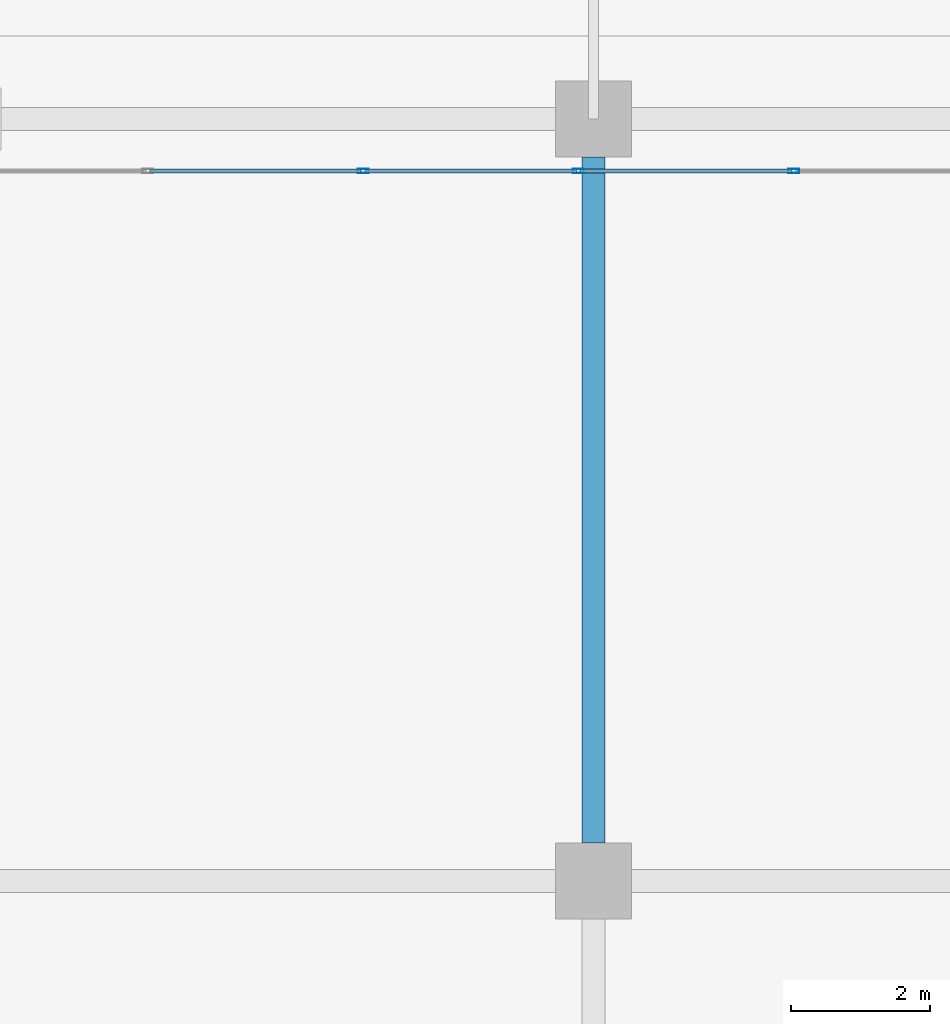
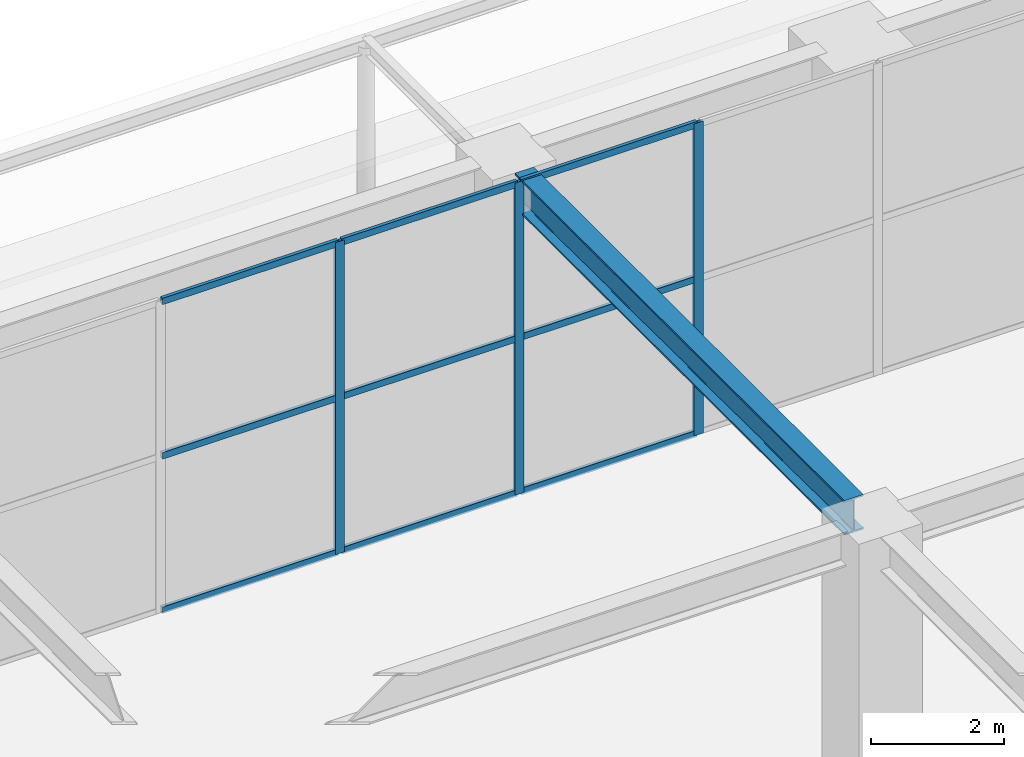
# One storey, part 25 of 49: 12 members, 1 beam, 1 element without a shape of its own.
"""IFC4 building model written with IfcOpenShell, lengths in metres."""

from ifc_helpers import new_model, si_unit, direction, frame, origin, origin_2d, place, context, subcontext, project, spatial, hollow_rectangle, i_section, extrude, material, layer, layer_set, material_profile, profile_set, type_object, element, aggregate, save


model = new_model("IFC4")

# Units and contexts
model_context = context("Model", 3, precision=1e-05, world=origin(), true_north=direction((0.0, 1.0)))
body_context = subcontext(model_context, "Body", "Model", "MODEL_VIEW")
ifc_project = project(units=[si_unit("LENGTHUNIT", "METRE"), si_unit("AREAUNIT", "SQUARE_METRE"), si_unit("VOLUMEUNIT", "CUBIC_METRE"), si_unit("PLANEANGLEUNIT", "RADIAN"), si_unit("MASSUNIT", "GRAM", prefix="KILO")], contexts=[model_context])

# Site, building, storey
site_placement = place(None, origin())
site = spatial("IfcSite", under=ifc_project, at=site_placement, CompositionType="ELEMENT")
building_placement = place(site_placement, origin())
building = spatial("IfcBuilding", under=site, at=building_placement, Name="Sarneth Arch Tower", CompositionType="ELEMENT")
storey_placement = place(building_placement, origin())
storey = spatial("IfcBuildingStorey", under=building, at=storey_placement, Name="L00", CompositionType="ELEMENT", Elevation=0.0)

# Beam
ifc_material_1 = material(Name="Steel S355", Category="steel")
ifc_material_profile_1 = material_profile(ifc_material_1, i_section(OverallWidth=0.3291015625, OverallDepth=0.635009765625, WebThickness=0.017822265625, FlangeThickness=0.031005859375, FilletRadius=0.01904296875, at=origin_2d()), Name="W610x241")
ifc_profile_set_1 = profile_set([ifc_material_profile_1], Name="Steel S355")
beam_type = type_object("IfcBeamType", Name="BM-POD-610", PredefinedType="BEAM", material=ifc_profile_set_1)
beam_placement = place(storey_placement, frame((42.0, 64.35009765625, 5.402587890625), z_axis=(0.0, 1.0, 0.0), x_axis=(-1.0, 0.0, 0.0)))
element("IfcBeam", 1, at=beam_placement, inside=storey, type_object=beam_type, Name="L00 North bay girder C42.2", PredefinedType="BEAM", context=body_context, shape_type="SweptSolid", body=[
    extrude(i_section(OverallWidth=0.3291015625, OverallDepth=0.635009765625, WebThickness=0.017822265625, FlangeThickness=0.031005859375, FilletRadius=0.01904296875, at=origin_2d()), origin(), (0.0, 0.0, 1.0), 9.89990234375),
])

# Curtain wall, members
ifc_material_2 = material(Name="Anodised aluminium Type AA25 and solar-control low-e laminated IGU", Category="aluminium")
ifc_layer = layer(ifc_material_2, 0.199951171875)
ifc_layer_set = layer_set([ifc_layer], Name="Anodised aluminium Type AA25 and solar-control low-e laminated IGU")
curtain_wall_type = type_object("IfcCurtainWallType", Name="CW-ARCH-GLAZE", PredefinedType="NOTDEFINED", material=ifc_layer_set)
curtain_wall_placement = place(storey_placement, origin())
curtain_wall = element("IfcCurtainWall", 2, at=curtain_wall_placement, inside=storey, type_object=curtain_wall_type, Name="L00 North parabolic arch portal curtain wall", PredefinedType="NOTDEFINED")
ifc_material_3 = material(Name="Anodised Aluminium 6063-T6", Category="aluminium")
ifc_material_profile_2 = material_profile(ifc_material_3, hollow_rectangle(XDim=0.06005859375, YDim=0.159912109375, WallThickness=0.00390625, at=origin_2d()), Name="AL-MULL-160x60x4")
ifc_profile_set_2 = profile_set([ifc_material_profile_2], Name="Anodised Aluminium 6063-T6")
member_type_1 = type_object("IfcMemberType", Name="CW-MULLION", PredefinedType="MULLION", material=ifc_profile_set_2)
member_1_placement = place(storey_placement, frame((44.8916015625, 74.050048828125, 0.0), z_axis=(0.0, 0.0, 1.0), x_axis=(0.0, -1.0, 0.0)))
member_1 = element("IfcMember", 3, at=member_1_placement, type_object=member_type_1, Name="CW-SYS-2 mullion 8", PredefinedType="MULLION", context=body_context, shape_type="SweptSolid", body=[
    extrude(hollow_rectangle(XDim=0.06005859375, YDim=0.159912109375, WallThickness=0.00390625, at=origin_2d()), origin(), (0.0, 0.0, 1.0), 5.719970703125),
])
member_2_placement = place(storey_placement, frame((41.783447265625, 74.050048828125, 0.0), z_axis=(0.0, 0.0, 1.0), x_axis=(0.0, -1.0, 0.0)))
member_2 = element("IfcMember", 4, at=member_2_placement, type_object=member_type_1, Name="CW-SYS-2 mullion 9", PredefinedType="MULLION", context=body_context, shape_type="SweptSolid", body=[
    extrude(hollow_rectangle(XDim=0.06005859375, YDim=0.159912109375, WallThickness=0.00390625, at=origin_2d()), origin(), (0.0, 0.0, 1.0), 5.719970703125),
])
member_3_placement = place(storey_placement, frame((38.675048828125, 74.050048828125, 0.0), z_axis=(0.0, 0.0, 1.0), x_axis=(0.0, -1.0, 0.0)))
member_3 = element("IfcMember", 5, at=member_3_placement, type_object=member_type_1, Name="CW-SYS-2 mullion 10", PredefinedType="MULLION", context=body_context, shape_type="SweptSolid", body=[
    extrude(hollow_rectangle(XDim=0.06005859375, YDim=0.159912109375, WallThickness=0.00390625, at=origin_2d()), origin(), (0.0, 0.0, 1.0), 5.719970703125),
])
ifc_material_4 = material(Name="Anodised Aluminium 6063-T6", Category="aluminium")
ifc_material_profile_3 = material_profile(ifc_material_4, hollow_rectangle(XDim=0.06005859375, YDim=0.1201171875, WallThickness=0.00390625, at=origin_2d()), Name="AL-TRAN-120x60x4")
ifc_profile_set_3 = profile_set([ifc_material_profile_3], Name="Anodised Aluminium 6063-T6")
member_type_2 = type_object("IfcMemberType", Name="CW-TRANSOM", PredefinedType="USERDEFINED", material=ifc_profile_set_3)
member_4_placement = place(storey_placement, frame((44.861572265625, 74.050048828125, 0.030029296875), z_axis=(-1.0, 0.0, 0.0), x_axis=(0.0, -1.0, 0.0)))
member_4 = element("IfcMember", 6, at=member_4_placement, type_object=member_type_2, Name="CW-SYS-2 transom 8.1", ObjectType="TRANSOM", PredefinedType="USERDEFINED", context=body_context, shape_type="SweptSolid", body=[
    extrude(hollow_rectangle(XDim=0.06005859375, YDim=0.1201171875, WallThickness=0.00390625, at=origin_2d()), origin(), (0.0, 0.0, 1.0), 3.04833984375),
])
member_5_placement = place(storey_placement, frame((44.861572265625, 74.050048828125, 2.860107421875), z_axis=(-1.0, 0.0, 0.0), x_axis=(0.0, -1.0, 0.0)))
member_5 = element("IfcMember", 7, at=member_5_placement, type_object=member_type_2, Name="CW-SYS-2 transom 8.2", ObjectType="TRANSOM", PredefinedType="USERDEFINED", context=body_context, shape_type="SweptSolid", body=[
    extrude(hollow_rectangle(XDim=0.06005859375, YDim=0.1201171875, WallThickness=0.00390625, at=origin_2d()), origin(), (0.0, 0.0, 1.0), 3.04833984375),
])
member_6_placement = place(storey_placement, frame((44.861572265625, 74.050048828125, 5.68994140625), z_axis=(-1.0, 0.0, 0.0), x_axis=(0.0, -1.0, 0.0)))
member_6 = element("IfcMember", 8, at=member_6_placement, type_object=member_type_2, Name="CW-SYS-2 transom 8.3", ObjectType="TRANSOM", PredefinedType="USERDEFINED", context=body_context, shape_type="SweptSolid", body=[
    extrude(hollow_rectangle(XDim=0.06005859375, YDim=0.1201171875, WallThickness=0.00390625, at=origin_2d()), origin(), (0.0, 0.0, 1.0), 3.04833984375),
])
member_7_placement = place(storey_placement, frame((41.75341796875, 74.050048828125, 0.030029296875), z_axis=(-1.0, 0.0, 0.0), x_axis=(0.0, -1.0, 0.0)))
member_7 = element("IfcMember", 9, at=member_7_placement, type_object=member_type_2, Name="CW-SYS-2 transom 9.1", ObjectType="TRANSOM", PredefinedType="USERDEFINED", context=body_context, shape_type="SweptSolid", body=[
    extrude(hollow_rectangle(XDim=0.06005859375, YDim=0.1201171875, WallThickness=0.00390625, at=origin_2d()), origin(), (0.0, 0.0, 1.0), 3.04833984375),
])
member_8_placement = place(storey_placement, frame((41.75341796875, 74.050048828125, 2.860107421875), z_axis=(-1.0, 0.0, 0.0), x_axis=(0.0, -1.0, 0.0)))
member_8 = element("IfcMember", 10, at=member_8_placement, type_object=member_type_2, Name="CW-SYS-2 transom 9.2", ObjectType="TRANSOM", PredefinedType="USERDEFINED", context=body_context, shape_type="SweptSolid", body=[
    extrude(hollow_rectangle(XDim=0.06005859375, YDim=0.1201171875, WallThickness=0.00390625, at=origin_2d()), origin(), (0.0, 0.0, 1.0), 3.04833984375),
])
member_9_placement = place(storey_placement, frame((41.75341796875, 74.050048828125, 5.68994140625), z_axis=(-1.0, 0.0, 0.0), x_axis=(0.0, -1.0, 0.0)))
member_9 = element("IfcMember", 11, at=member_9_placement, type_object=member_type_2, Name="CW-SYS-2 transom 9.3", ObjectType="TRANSOM", PredefinedType="USERDEFINED", context=body_context, shape_type="SweptSolid", body=[
    extrude(hollow_rectangle(XDim=0.06005859375, YDim=0.1201171875, WallThickness=0.00390625, at=origin_2d()), origin(), (0.0, 0.0, 1.0), 3.04833984375),
])
member_10_placement = place(storey_placement, frame((38.64501953125, 74.050048828125, 0.030029296875), z_axis=(-1.0, 0.0, 0.0), x_axis=(0.0, -1.0, 0.0)))
member_10 = element("IfcMember", 12, at=member_10_placement, type_object=member_type_2, Name="CW-SYS-2 transom 10.1", ObjectType="TRANSOM", PredefinedType="USERDEFINED", context=body_context, shape_type="SweptSolid", body=[
    extrude(hollow_rectangle(XDim=0.06005859375, YDim=0.1201171875, WallThickness=0.00390625, at=origin_2d()), origin(), (0.0, 0.0, 1.0), 3.04833984375),
])
member_11_placement = place(storey_placement, frame((38.64501953125, 74.050048828125, 2.860107421875), z_axis=(-1.0, 0.0, 0.0), x_axis=(0.0, -1.0, 0.0)))
member_11 = element("IfcMember", 13, at=member_11_placement, type_object=member_type_2, Name="CW-SYS-2 transom 10.2", ObjectType="TRANSOM", PredefinedType="USERDEFINED", context=body_context, shape_type="SweptSolid", body=[
    extrude(hollow_rectangle(XDim=0.06005859375, YDim=0.1201171875, WallThickness=0.00390625, at=origin_2d()), origin(), (0.0, 0.0, 1.0), 3.04833984375),
])
member_12_placement = place(storey_placement, frame((38.64501953125, 74.050048828125, 5.68994140625), z_axis=(-1.0, 0.0, 0.0), x_axis=(0.0, -1.0, 0.0)))
member_12 = element("IfcMember", 14, at=member_12_placement, type_object=member_type_2, Name="CW-SYS-2 transom 10.3", ObjectType="TRANSOM", PredefinedType="USERDEFINED", context=body_context, shape_type="SweptSolid", body=[
    extrude(hollow_rectangle(XDim=0.06005859375, YDim=0.1201171875, WallThickness=0.00390625, at=origin_2d()), origin(), (0.0, 0.0, 1.0), 3.04833984375),
])
aggregate(curtain_wall, [member_1, member_2, member_3, member_4, member_5, member_6, member_7, member_8, member_9, member_10, member_11, member_12])

save(model, "model.ifc")
